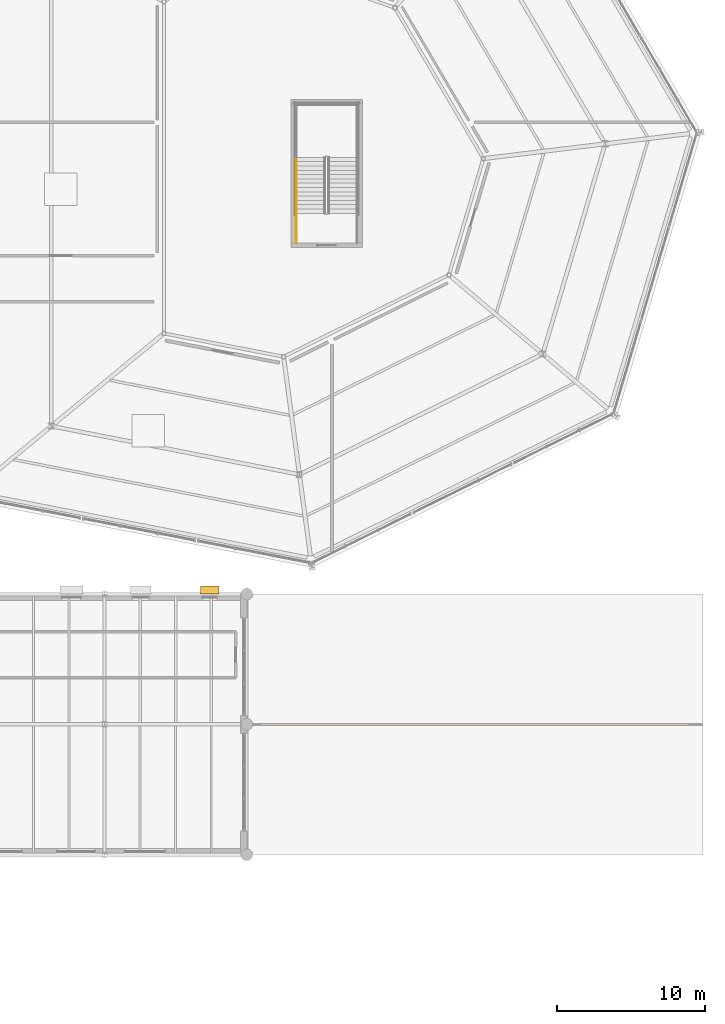
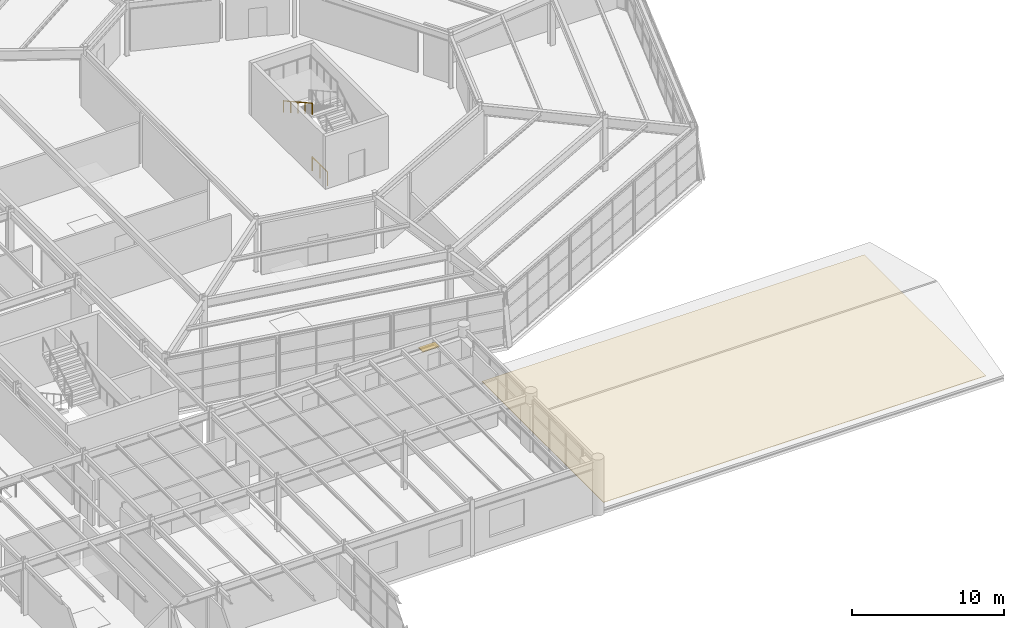
# One storey, part 76 of 77: 2 railings, 1 covering, 1 shading device.
"""IFC4 building model written with IfcOpenShell, lengths in metres."""

from ifc_helpers import new_model, si_unit, direction, frame, origin, origin_2d, place, context, subcontext, project, spatial, rectangle, circle, extrude, material, layer, layer_set, type_object, element, save


model = new_model("IFC4")

# Units and contexts
model_context = context("Model", 3, precision=1e-05, world=origin(), true_north=direction((0.0, 1.0)))
body_context = subcontext(model_context, "Body", "Model", "MODEL_VIEW")
ifc_project = project(units=[si_unit("LENGTHUNIT", "METRE"), si_unit("AREAUNIT", "SQUARE_METRE"), si_unit("VOLUMEUNIT", "CUBIC_METRE"), si_unit("PLANEANGLEUNIT", "RADIAN"), si_unit("MASSUNIT", "GRAM", prefix="KILO")], contexts=[model_context])

# Site, building, storey
site_placement = place(None, origin())
site = spatial("IfcSite", under=ifc_project, at=site_placement, CompositionType="ELEMENT")
building_placement = place(site_placement, origin())
building = spatial("IfcBuilding", under=site, at=building_placement, Name="Sarnbrook Museum", CompositionType="ELEMENT")
storey_placement = place(building_placement, frame((0.0, 0.0, 5.60009765625)))
storey = spatial("IfcBuildingStorey", under=building, at=storey_placement, Name="L01", CompositionType="ELEMENT", Elevation=5.60009765625)

# Shading device
ifc_material_1 = material(Name="Patinated Architectural Bronze")
shading_device_type = type_object("IfcShadingDeviceType", Name="BriseSoleil_Horizontal", PredefinedType="SHUTTER", material=ifc_material_1)
shading_device_placement = place(storey_placement, frame((135.908935546875, 57.070068359375, 3.2646484375), z_axis=(0.0, 0.0, 1.0), x_axis=(1.0, 0.0, 0.0)))
element("IfcShadingDevice", 1, at=shading_device_placement, inside=storey, type_object=shading_device_type, Name="Horizontal Bronze Brise-Soleil BS-011", PredefinedType="SHUTTER", context=body_context, shape_type="SweptSolid", body=[
    extrude(rectangle(XDim=1.25, YDim=0.550048828125, at=origin_2d()), origin(), (0.0, 0.0, 1.0), 0.090087890625),
])

# Railings
ifc_material_2 = material(Name="Brushed Stainless Steel Grade 316", Category="steel")
ifc_layer_1 = layer(ifc_material_2, 0.050048828125)
ifc_layer_set_1 = layer_set([ifc_layer_1], Name="Brushed Stainless Steel Grade 316")
railing_type_1 = type_object("IfcRailingType", Name="Guard_Int1120", PredefinedType="BALUSTRADE", material=ifc_layer_set_1)
railing_1_placement = place(storey_placement, frame((141.75, 80.5, 0.0)))
element("IfcRailing", 2, at=railing_1_placement, inside=storey, type_object=railing_type_1, Name="L01 ST7 stair guard 9", PredefinedType="BALUSTRADE", context=body_context, shape_type="SweptSolid", body=[
    extrude(circle(Radius=0.02392578125, at=origin_2d()), frame((0.0, 0.0, 1.09619140625), z_axis=(0.0, 1.0, 0.0), x_axis=(-1.0, 0.0, 0.0)), (0.0, 0.0, 1.0), 2.02001953125),
    extrude(circle(Radius=0.02099609375, at=origin_2d()), origin(), (0.0, 0.0, 1.0), 1.072021484375),
    extrude(circle(Radius=0.02099609375, at=origin_2d()), frame((0.0, 1.010009765625, 0.0)), (0.0, 0.0, 1.0), 1.072021484375),
    extrude(circle(Radius=0.02099609375, at=origin_2d()), frame((0.0, 2.02001953125, 0.0)), (0.0, 0.0, 1.0), 1.072021484375),
])
ifc_layer_2 = layer(ifc_material_2, 0.048095703125)
ifc_layer_set_2 = layer_set([ifc_layer_2], Name="Brushed Stainless Steel Grade 316")
railing_type_2 = type_object("IfcRailingType", Name="Handrail_920", PredefinedType="HANDRAIL", material=ifc_layer_set_2)
railing_2_placement = place(storey_placement, frame((141.75, 86.2900390625, 2.41064453125)))
element("IfcRailing", 3, at=railing_2_placement, inside=storey, type_object=railing_type_2, Name="L01 ST7 stair handrail 2", PredefinedType="HANDRAIL", context=body_context, shape_type="SweptSolid", body=[
    extrude(circle(Radius=0.02392578125, at=origin_2d()), frame((0.0, 0.0, 0.8857421875), z_axis=(0.0, -0.874659101714, 0.484738543742), x_axis=(1.0, 0.0, 0.0)), (0.0, 0.0, 1.0), 4.310302734375),
    extrude(circle(Radius=0.02099609375, at=origin_2d()), origin(), (0.0, 0.0, 1.0), 0.86181640625),
    extrude(circle(Radius=0.02099609375, at=origin_2d()), frame((0.0, -0.9423828125, 0.5224609375)), (0.0, 0.0, 1.0), 0.86181640625),
    extrude(circle(Radius=0.02099609375, at=origin_2d()), frame((0.0, -1.885009765625, 1.044677734375)), (0.0, 0.0, 1.0), 0.86181640625),
    extrude(circle(Radius=0.02099609375, at=origin_2d()), frame((0.0, -2.82763671875, 1.56689453125)), (0.0, 0.0, 1.0), 0.86181640625),
    extrude(circle(Radius=0.02099609375, at=origin_2d()), frame((0.0, -3.77001953125, 2.08935546875)), (0.0, 0.0, 1.0), 0.86181640625),
])

# Covering
ifc_material_3 = material(Name="Standing-Seam Titanium Zinc Roofing")
ifc_layer_3 = layer(ifc_material_3, 0.034912109375)
ifc_layer_set_3 = layer_set([ifc_layer_3], Name="Standing-Seam Titanium Zinc Roofing")
covering_type = type_object("IfcCoveringType", Name="Roofing_StandingSeamZinc", PredefinedType="ROOFING", material=ifc_layer_set_3)
covering_placement = place(storey_placement, frame((153.800048828125, 48.0, 0.0), z_axis=(0.0, 0.0, 1.0), x_axis=(1.0, 0.0, 0.0)))
element("IfcCovering", 4, at=covering_placement, inside=storey, type_object=covering_type, Name="Standing-Seam Zinc Roof Covering ZC-6", PredefinedType="ROOFING", context=body_context, shape_type="SweptSolid", body=[
    extrude(rectangle(XDim=29.0, YDim=16.0, at=origin_2d()), origin(), (0.0, 0.0, 1.0), 0.034912109375),
])

save(model, "model.ifc")
